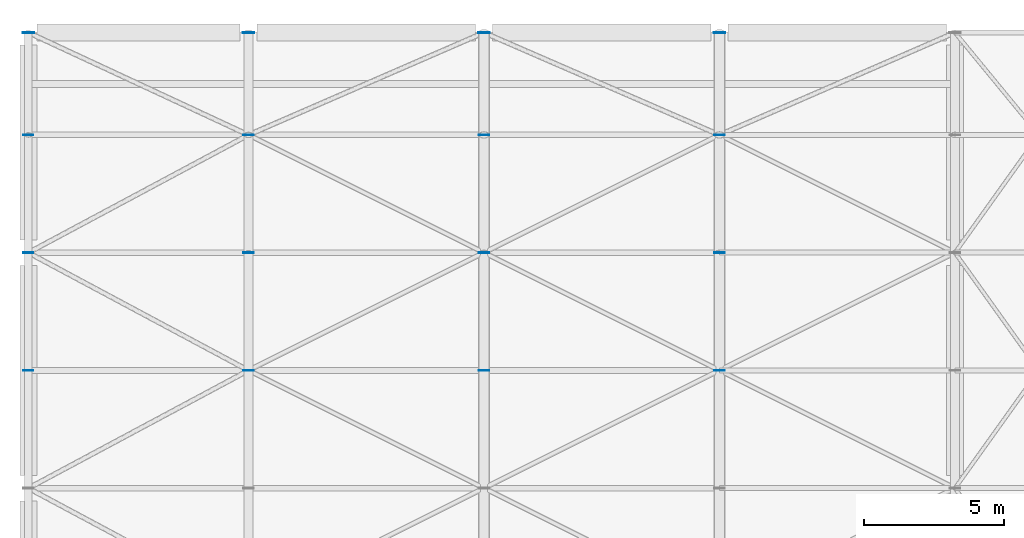
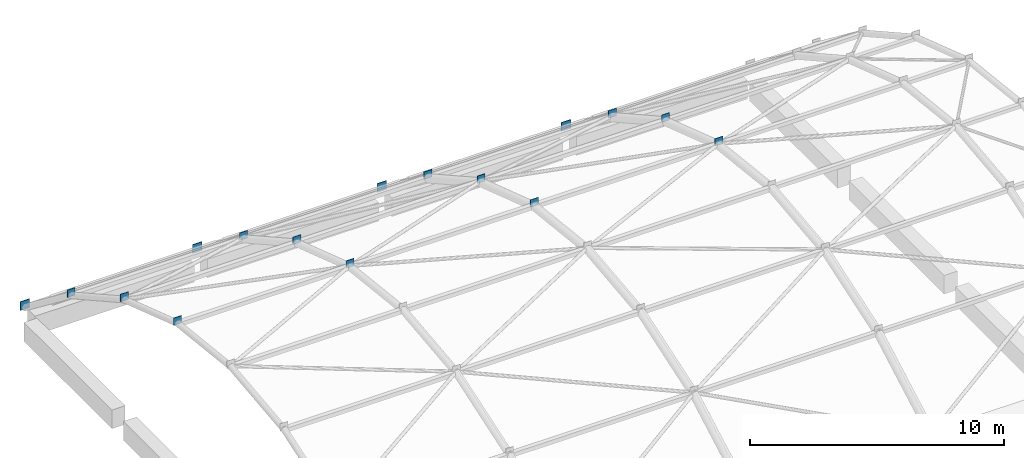
# One storey, part 26 of 38: 16 plates.
"""IFC4 building model written with IfcOpenShell, lengths in metres."""

from ifc_helpers import new_model, si_unit, direction, frame, origin, origin_2d, place, context, subcontext, project, spatial, rectangle, extrude, material, layer, layer_set, type_object, element, save


model = new_model("IFC4")

# Units and contexts
model_context = context("Model", 3, precision=1e-05, world=origin(), true_north=direction((0.0, 1.0)))
body_context = subcontext(model_context, "Body", "Model", "MODEL_VIEW")
ifc_project = project(units=[si_unit("LENGTHUNIT", "METRE"), si_unit("AREAUNIT", "SQUARE_METRE"), si_unit("VOLUMEUNIT", "CUBIC_METRE"), si_unit("PLANEANGLEUNIT", "RADIAN"), si_unit("MASSUNIT", "GRAM", prefix="KILO")], contexts=[model_context])

# Site, building, storey
site_placement = place(None, origin())
site = spatial("IfcSite", under=ifc_project, at=site_placement, CompositionType="ELEMENT")
building_placement = place(site_placement, origin())
building = spatial("IfcBuilding", under=site, at=building_placement, Name="Brinegate Botanical Conservatory", CompositionType="ELEMENT")
storey_placement = place(building_placement, frame((0.0, 0.0, 10.199951171875)))
storey = spatial("IfcBuildingStorey", under=building, at=storey_placement, Name="L03", CompositionType="ELEMENT", Elevation=10.199951171875)

# Plates
ifc_material = material(Name="Welded node steel Q355GJ / S355", Category="steel")
ifc_layer_1 = layer(ifc_material, 0.028076171875, Name="Welded node steel Q355GJ / S355", Category="steel")
ifc_layer_set_1 = layer_set([ifc_layer_1], Name="Welded node steel Q355GJ / S355")
plate_type_1 = type_object("IfcPlateType", Name="Plate_CSN-01", PredefinedType="USERDEFINED", material=ifc_layer_set_1)
for number, where, z_axis, x_axis, name in (
    (1, (0.550048828125, 111.449951171875, 0.273193359375), (0.0, 0.0, 1.0), (1.0, 0.0, 0.0), "Gridshell welded hub node CSN-01 WP-009"),
    (2, (8.39990234375, 111.449951171875, 0.273193359375), (0.0, 0.0, 1.0), (1.0, 0.0, 0.0), "Gridshell welded hub node CSN-01 WP-018"),
    (3, (16.800048828125, 111.449951171875, 0.273193359375), (0.0, 0.0, 1.0), (1.0, 0.0, 0.0), "Gridshell welded hub node CSN-01 WP-027"),
    (4, (25.199951171875, 111.449951171875, 0.273193359375), (0.0, 0.0, 1.0), (1.0, 0.0, 0.0), "Gridshell welded hub node CSN-01 WP-036"),
):
    element("IfcPlate", number, at=place(storey_placement, frame(where, z_axis=z_axis, x_axis=x_axis)), inside=storey, type_object=plate_type_1, Name=name, ObjectType="GUSSET PLATE", PredefinedType="USERDEFINED", context=body_context, shape_type="SweptSolid", body=[
        extrude(rectangle(XDim=0.419921875, YDim=0.028076171875, at=origin_2d()), origin(), (0.0, 0.0, 1.0), 0.419921875),
    ])
ifc_layer_2 = layer(ifc_material, 0.02392578125, Name="Welded node steel Q355GJ / S355", Category="steel")
ifc_layer_set_2 = layer_set([ifc_layer_2], Name="Welded node steel Q355GJ / S355")
plate_type_2 = type_object("IfcPlateType", Name="Plate_WSN-01", PredefinedType="USERDEFINED", material=ifc_layer_set_2)
for number, where, z_axis, x_axis, name in (
    (5, (0.550048828125, 99.39990234375, 6.85107421875), (0.0, 0.0, 1.0), (1.0, 0.0, 0.0), "Gridshell welded hub node WSN-01 WP-006"),
    (6, (0.550048828125, 103.60009765625, 5.44482421875), (0.0, 0.0, 1.0), (1.0, 0.0, 0.0), "Gridshell welded hub node WSN-01 WP-007"),
    (7, (0.550048828125, 107.800048828125, 3.10107421875), (0.0, 0.0, 1.0), (1.0, 0.0, 0.0), "Gridshell welded hub node WSN-01 WP-008"),
    (8, (8.39990234375, 99.39990234375, 6.85107421875), (0.0, 0.0, 1.0), (1.0, 0.0, 0.0), "Gridshell welded hub node WSN-01 WP-015"),
    (9, (8.39990234375, 103.60009765625, 5.44482421875), (0.0, 0.0, 1.0), (1.0, 0.0, 0.0), "Gridshell welded hub node WSN-01 WP-016"),
    (10, (8.39990234375, 107.800048828125, 3.10107421875), (0.0, 0.0, 1.0), (1.0, 0.0, 0.0), "Gridshell welded hub node WSN-01 WP-017"),
    (11, (16.800048828125, 99.39990234375, 6.85107421875), (0.0, 0.0, 1.0), (1.0, 0.0, 0.0), "Gridshell welded hub node WSN-01 WP-024"),
    (12, (16.800048828125, 103.60009765625, 5.44482421875), (0.0, 0.0, 1.0), (1.0, 0.0, 0.0), "Gridshell welded hub node WSN-01 WP-025"),
    (13, (16.800048828125, 107.800048828125, 3.10107421875), (0.0, 0.0, 1.0), (1.0, 0.0, 0.0), "Gridshell welded hub node WSN-01 WP-026"),
    (14, (25.199951171875, 99.39990234375, 6.85107421875), (0.0, 0.0, 1.0), (1.0, 0.0, 0.0), "Gridshell welded hub node WSN-01 WP-033"),
    (15, (25.199951171875, 103.60009765625, 5.44482421875), (0.0, 0.0, 1.0), (1.0, 0.0, 0.0), "Gridshell welded hub node WSN-01 WP-034"),
    (16, (25.199951171875, 107.800048828125, 3.10107421875), (0.0, 0.0, 1.0), (1.0, 0.0, 0.0), "Gridshell welded hub node WSN-01 WP-035"),
):
    element("IfcPlate", number, at=place(storey_placement, frame(where, z_axis=z_axis, x_axis=x_axis)), inside=storey, type_object=plate_type_2, Name=name, ObjectType="GUSSET PLATE", PredefinedType="USERDEFINED", context=body_context, shape_type="SweptSolid", body=[
        extrude(rectangle(XDim=0.360107421875, YDim=0.02392578125, at=origin_2d()), origin(), (0.0, 0.0, 1.0), 0.360107421875),
    ])

save(model, "model.ifc")
